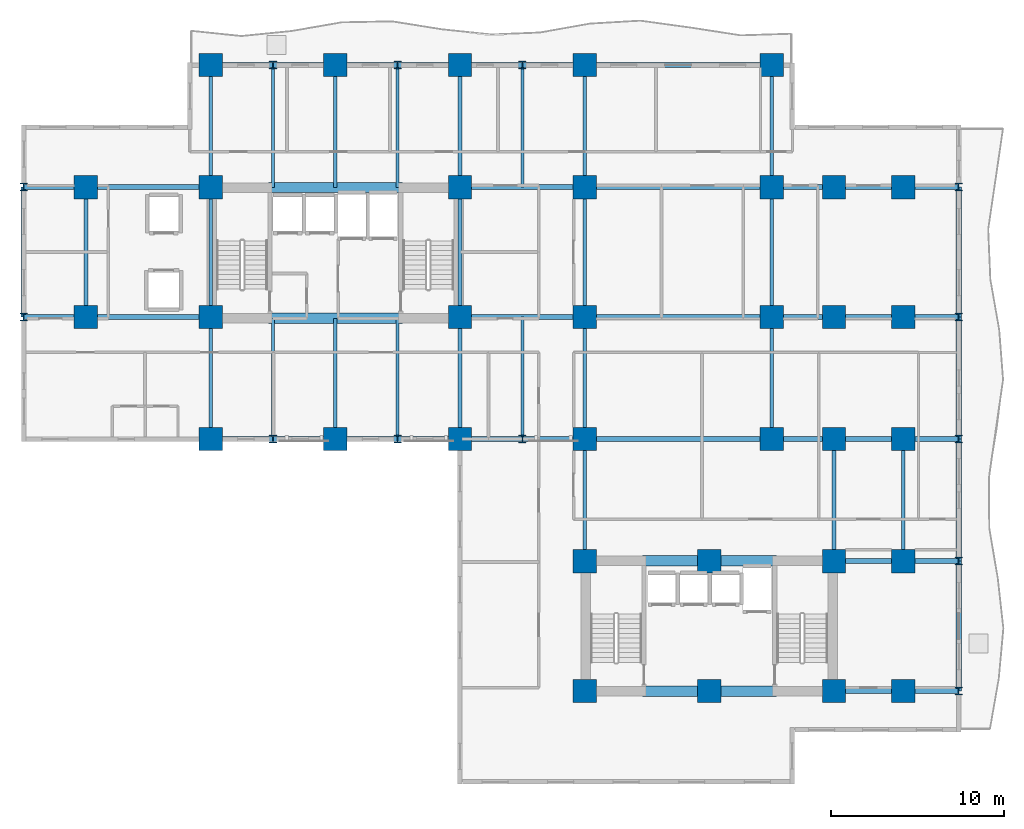
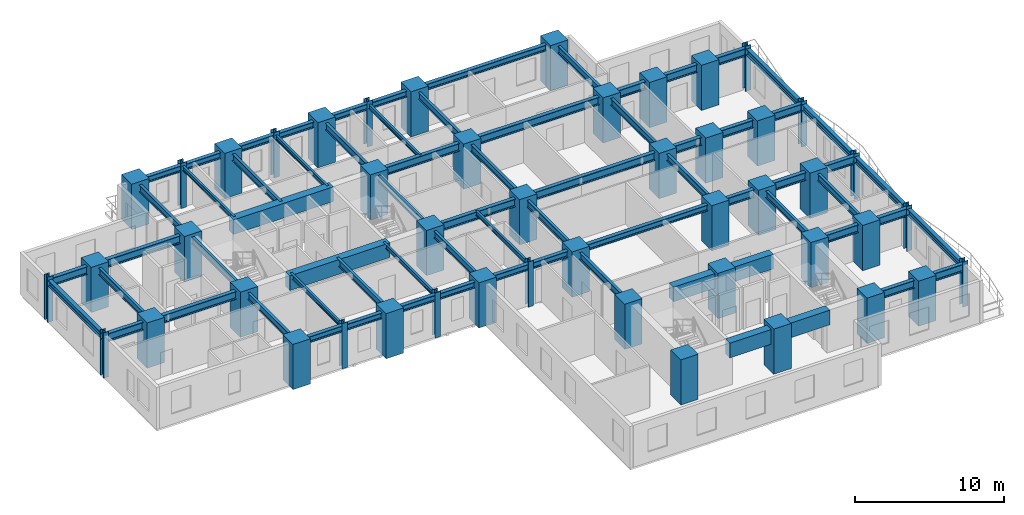
# One storey, part 1 of 11: 68 beams, 47 columns.
"""IFC4 building model written with IfcOpenShell, lengths in metres."""

from ifc_helpers import new_model, si_unit, direction, frame, origin, origin_2d, place, context, subcontext, project, spatial, rectangle, i_section, extrude, source, transform, mapped, material, material_profile, profile_set, type_object, element, save


model = new_model("IFC4")

# Units and contexts
model_context = context("Model", 3, precision=1e-05, world=origin(), true_north=direction((0.0, 1.0)))
body_context = subcontext(model_context, "Body", "Model", "MODEL_VIEW")
ifc_project = project(units=[si_unit("LENGTHUNIT", "METRE"), si_unit("AREAUNIT", "SQUARE_METRE"), si_unit("VOLUMEUNIT", "CUBIC_METRE"), si_unit("PLANEANGLEUNIT", "RADIAN"), si_unit("MASSUNIT", "GRAM", prefix="KILO")], contexts=[model_context])

# Site, building, storey
site_placement = place(None, origin())
site = spatial("IfcSite", under=ifc_project, at=site_placement, CompositionType="ELEMENT")
building_placement = place(site_placement, origin())
building = spatial("IfcBuilding", under=site, at=building_placement, Name="Kaliganga Portal Commons", CompositionType="ELEMENT")
storey_placement = place(building_placement, frame((0.0, 0.0, 51.199951171875)))
storey = spatial("IfcBuildingStorey", under=building, at=storey_placement, Name="L12", CompositionType="ELEMENT", Elevation=51.199951171875)

# Columns
ifc_material_1 = material(Name="Concrete C70/85", Category="concrete")
ifc_material_profile_1 = material_profile(ifc_material_1, rectangle(XDim=1.35009765625, YDim=1.35009765625, at=origin_2d()), Name="RC 1350x1350")
ifc_profile_set_1 = profile_set([ifc_material_profile_1], Name="Concrete C70/85")
column_type_1 = type_object("IfcColumnType", Name="COL-MEGA-Z1", PredefinedType="COLUMN", material=ifc_profile_set_1)
shared_shape_1 = source(origin(), body_context, "Body", "SweptSolid", [
    extrude(rectangle(XDim=1.35009765625, YDim=1.35009765625, at=origin_2d()), origin(), (0.0, 0.0, 1.0), 3.699951171875),
])
for number, where, z_axis, x_axis, name in (
    (1, (7.199951171875, 28.64990234375, 0.0), (0.0, 0.0, 1.0), (1.0, 0.0, 0.0), "Column MC-02 L12"),
    (2, (7.199951171875, 36.14990234375, 0.0), (0.0, 0.0, 1.0), (1.0, 0.0, 0.0), "Column MC-02 L12"),
    (3, (14.39990234375, 21.60009765625, 0.0), (0.0, 0.0, 1.0), (1.0, 0.0, 0.0), "Column MC-02 L12"),
    (4, (14.39990234375, 28.64990234375, 0.0), (0.0, 0.0, 1.0), (1.0, 0.0, 0.0), "Column MC-02 L12"),
    (5, (14.39990234375, 36.14990234375, 0.0), (0.0, 0.0, 1.0), (1.0, 0.0, 0.0), "Column MC-02 L12"),
    (6, (14.39990234375, 43.199951171875, 0.0), (0.0, 0.0, 1.0), (1.0, 0.0, 0.0), "Column MC-02 L12"),
    (7, (21.60009765625, 21.60009765625, 0.0), (0.0, 0.0, 1.0), (1.0, 0.0, 0.0), "Column MC-02 L12"),
    (8, (21.60009765625, 43.199951171875, 0.0), (0.0, 0.0, 1.0), (1.0, 0.0, 0.0), "Column MC-02 L12"),
    (9, (28.800048828125, 21.60009765625, 0.0), (0.0, 0.0, 1.0), (1.0, 0.0, 0.0), "Column MC-02 L12"),
    (10, (28.800048828125, 28.64990234375, 0.0), (0.0, 0.0, 1.0), (1.0, 0.0, 0.0), "Column MC-02 L12"),
    (11, (28.800048828125, 36.14990234375, 0.0), (0.0, 0.0, 1.0), (1.0, 0.0, 0.0), "Column MC-02 L12"),
    (12, (28.800048828125, 43.199951171875, 0.0), (0.0, 0.0, 1.0), (1.0, 0.0, 0.0), "Column MC-02 L12"),
    (13, (36.0, 21.60009765625, 0.0), (0.0, 0.0, 1.0), (1.0, 0.0, 0.0), "Column MC-02 L12"),
    (14, (36.0, 43.199951171875, 0.0), (0.0, 0.0, 1.0), (1.0, 0.0, 0.0), "Column MC-02 L12"),
    (15, (36.0, 28.64990234375, 0.0), (0.0, 0.0, 1.0), (1.0, 0.0, 0.0), "Column MC-02 L12"),
    (16, (36.0, 36.14990234375, 0.0), (0.0, 0.0, 1.0), (1.0, 0.0, 0.0), "Column MC-02 L12"),
    (17, (46.800048828125, 21.60009765625, 0.0), (0.0, 0.0, 1.0), (1.0, 0.0, 0.0), "Column MC-02 L12"),
    (18, (46.800048828125, 28.64990234375, 0.0), (0.0, 0.0, 1.0), (1.0, 0.0, 0.0), "Column MC-02 L12"),
    (19, (46.800048828125, 36.14990234375, 0.0), (0.0, 0.0, 1.0), (1.0, 0.0, 0.0), "Column MC-02 L12"),
    (20, (46.800048828125, 43.199951171875, 0.0), (0.0, 0.0, 1.0), (1.0, 0.0, 0.0), "Column MC-02 L12"),
    (21, (36.0, 7.050048828125, 0.0), (0.0, 0.0, 1.0), (1.0, 0.0, 0.0), "Column MC-02 L12"),
    (22, (36.0, 14.550048828125, 0.0), (0.0, 0.0, 1.0), (1.0, 0.0, 0.0), "Column MC-02 L12"),
    (23, (43.199951171875, 7.050048828125, 0.0), (0.0, 0.0, 1.0), (1.0, 0.0, 0.0), "Column MC-02 L12"),
    (24, (43.199951171875, 14.550048828125, 0.0), (0.0, 0.0, 1.0), (1.0, 0.0, 0.0), "Column MC-02 L12"),
    (25, (50.39990234375, 7.050048828125, 0.0), (0.0, 0.0, 1.0), (1.0, 0.0, 0.0), "Column MC-02 L12"),
    (26, (50.39990234375, 14.550048828125, 0.0), (0.0, 0.0, 1.0), (1.0, 0.0, 0.0), "Column MC-02 L12"),
    (27, (50.39990234375, 21.60009765625, 0.0), (0.0, 0.0, 1.0), (1.0, 0.0, 0.0), "Column MC-02 L12"),
    (28, (50.39990234375, 28.64990234375, 0.0), (0.0, 0.0, 1.0), (1.0, 0.0, 0.0), "Column MC-02 L12"),
    (29, (50.39990234375, 36.14990234375, 0.0), (0.0, 0.0, 1.0), (1.0, 0.0, 0.0), "Column MC-02 L12"),
    (30, (54.39990234375, 7.050048828125, 0.0), (0.0, 0.0, 1.0), (1.0, 0.0, 0.0), "Column MC-02 L12"),
    (31, (54.39990234375, 14.550048828125, 0.0), (0.0, 0.0, 1.0), (1.0, 0.0, 0.0), "Column MC-02 L12"),
    (32, (54.39990234375, 21.60009765625, 0.0), (0.0, 0.0, 1.0), (1.0, 0.0, 0.0), "Column MC-02 L12"),
    (33, (54.39990234375, 28.64990234375, 0.0), (0.0, 0.0, 1.0), (1.0, 0.0, 0.0), "Column MC-02 L12"),
    (34, (54.39990234375, 36.14990234375, 0.0), (0.0, 0.0, 1.0), (1.0, 0.0, 0.0), "Column MC-02 L12"),
):
    element("IfcColumn", number, at=place(storey_placement, frame(where, z_axis=z_axis, x_axis=x_axis)), inside=storey, type_object=column_type_1, Name=name, PredefinedType="COLUMN", context=body_context, shape_type="MappedRepresentation", body=[
        mapped(shared_shape_1, transform((0.0, 0.0, 0.0), x_axis=(1.0, 0.0, 0.0), y_axis=(0.0, 1.0, 0.0), z_axis=(0.0, 0.0, 1.0), scale=1.0)),
    ])
ifc_material_2 = material(Name="Structural steel S460M", Category="steel")
ifc_material_profile_2 = material_profile(ifc_material_2, i_section(OverallWidth=0.416015625, OverallDepth=0.446044921875, WebThickness=0.029052734375, FlangeThickness=0.0400390625, FilletRadius=0.014892578125, at=origin_2d()), Name="HD 400x509")
ifc_profile_set_2 = profile_set([ifc_material_profile_2], Name="Structural steel S460M wide-flange")
column_type_2 = type_object("IfcColumnType", Name="COL-TUBE-B1", PredefinedType="COLUMN", material=ifc_profile_set_2)
shared_shape_2 = source(origin(), body_context, "Body", "SweptSolid", [
    extrude(i_section(OverallWidth=0.416015625, OverallDepth=0.446044921875, WebThickness=0.029052734375, FlangeThickness=0.0400390625, FilletRadius=0.014892578125, at=origin_2d()), origin(), (0.0, 0.0, 1.0), 3.699951171875),
])
for number, where, z_axis, x_axis, name in (
    (35, (3.60009765625, 28.64990234375, 0.0), (0.0, 0.0, 1.0), (1.0, 0.0, 0.0), "Column TC-01 L12"),
    (36, (3.60009765625, 36.14990234375, 0.0), (0.0, 0.0, 1.0), (1.0, 0.0, 0.0), "Column TC-01 L12"),
    (37, (18.0, 21.60009765625, 0.0), (0.0, 0.0, 1.0), (1.0, 0.0, 0.0), "Column TC-01 L12"),
    (38, (18.0, 43.199951171875, 0.0), (0.0, 0.0, 1.0), (1.0, 0.0, 0.0), "Column TC-01 L12"),
    (39, (25.199951171875, 21.60009765625, 0.0), (0.0, 0.0, 1.0), (1.0, 0.0, 0.0), "Column TC-01 L12"),
    (40, (25.199951171875, 43.199951171875, 0.0), (0.0, 0.0, 1.0), (1.0, 0.0, 0.0), "Column TC-01 L12"),
    (41, (32.39990234375, 21.60009765625, 0.0), (0.0, 0.0, 1.0), (1.0, 0.0, 0.0), "Column TC-01 L12"),
    (42, (32.39990234375, 43.199951171875, 0.0), (0.0, 0.0, 1.0), (1.0, 0.0, 0.0), "Column TC-01 L12"),
    (43, (57.60009765625, 7.050048828125, 0.0), (0.0, 0.0, 1.0), (1.0, 0.0, 0.0), "Column TC-01 L12"),
    (44, (57.60009765625, 14.550048828125, 0.0), (0.0, 0.0, 1.0), (1.0, 0.0, 0.0), "Column TC-01 L12"),
    (45, (57.60009765625, 21.60009765625, 0.0), (0.0, 0.0, 1.0), (1.0, 0.0, 0.0), "Column TC-01 L12"),
    (46, (57.60009765625, 28.64990234375, 0.0), (0.0, 0.0, 1.0), (1.0, 0.0, 0.0), "Column TC-01 L12"),
    (47, (57.60009765625, 36.14990234375, 0.0), (0.0, 0.0, 1.0), (1.0, 0.0, 0.0), "Column TC-01 L12"),
):
    element("IfcColumn", number, at=place(storey_placement, frame(where, z_axis=z_axis, x_axis=x_axis)), inside=storey, type_object=column_type_2, Name=name, PredefinedType="COLUMN", context=body_context, shape_type="MappedRepresentation", body=[
        mapped(shared_shape_2, transform((0.0, 0.0, 0.0), x_axis=(1.0, 0.0, 0.0), y_axis=(0.0, 1.0, 0.0), z_axis=(0.0, 0.0, 1.0), scale=1.0)),
    ])

# Beams
ifc_material_3 = material(Name="Concrete C60/75", Category="concrete")
ifc_material_profile_3 = material_profile(ifc_material_3, rectangle(XDim=0.60009765625, YDim=1.199951171875, at=origin_2d()), Name="RC 600x1200")
ifc_profile_set_3 = profile_set([ifc_material_profile_3], Name="Concrete C60/75")
beam_type_1 = type_object("IfcBeamType", Name="BM-CPL-1200", PredefinedType="LINTEL", material=ifc_profile_set_3)
shared_shape_3 = source(origin(), body_context, "Body", "SweptSolid", [
    extrude(rectangle(XDim=0.60009765625, YDim=1.199951171875, at=origin_2d()), origin(), (0.0, 0.0, 1.0), 7.739990234375),
])
for number, where, z_axis, x_axis, name in (
    (48, (17.72998046875, 28.574951171875, 2.85009765625), (1.0, 0.0, 0.0), (0.0, 1.0, 0.0), "BM CPL COREA L12 S"),
    (49, (17.72998046875, 36.125, 2.85009765625), (1.0, 0.0, 0.0), (0.0, 1.0, 0.0), "BM CPL COREA L12 N"),
    (50, (39.330078125, 7.02490234375, 2.85009765625), (1.0, 0.0, 0.0), (0.0, 1.0, 0.0), "BM CPL COREB L12 S"),
    (51, (39.330078125, 14.574951171875, 2.85009765625), (1.0, 0.0, 0.0), (0.0, 1.0, 0.0), "BM CPL COREB L12 N"),
):
    element("IfcBeam", number, at=place(storey_placement, frame(where, z_axis=z_axis, x_axis=x_axis)), inside=storey, type_object=beam_type_1, Name=name, PredefinedType="LINTEL", context=body_context, shape_type="MappedRepresentation", body=[
        mapped(shared_shape_3, transform((0.0, 0.0, 0.0), x_axis=(1.0, 0.0, 0.0), y_axis=(0.0, 1.0, 0.0), z_axis=(0.0, 0.0, 1.0), scale=1.0)),
    ])
ifc_material_4 = material(Name="Structural steel S355J2", Category="steel")
ifc_material_profile_4 = material_profile(ifc_material_4, i_section(OverallWidth=0.300048828125, OverallDepth=0.5, WebThickness=0.014404296875, FlangeThickness=0.028076171875, FilletRadius=0.027099609375, at=origin_2d()), Name="HE 500 B")
ifc_profile_set_4 = profile_set([ifc_material_profile_4], Name="Structural steel S355J2 wide-flange")
beam_type_2 = type_object("IfcBeamType", Name="BM-SPAND-500", PredefinedType="SPANDREL", material=ifc_profile_set_4)
shared_shape_4 = source(origin(), body_context, "Body", "SweptSolid", [
    extrude(i_section(OverallWidth=0.300048828125, OverallDepth=0.5, WebThickness=0.014404296875, FlangeThickness=0.028076171875, FilletRadius=0.027099609375, at=origin_2d()), origin(), (0.0, 0.0, 1.0), 10.800048828125),
])
for number, where, z_axis, x_axis, name in (
    (52, (36.0, 43.199951171875, 3.199951171875), (1.0, 0.0, 0.0), (0.0, 1.0, 0.0), "BM SP L12 AN 7"),
    (53, (36.0, 21.60009765625, 3.199951171875), (1.0, 0.0, 0.0), (0.0, 1.0, 0.0), "BM SP L12 AS 7"),
):
    element("IfcBeam", number, at=place(storey_placement, frame(where, z_axis=z_axis, x_axis=x_axis)), inside=storey, type_object=beam_type_2, Name=name, PredefinedType="SPANDREL", context=body_context, shape_type="MappedRepresentation", body=[
        mapped(shared_shape_4, transform((0.0, 0.0, 0.0), x_axis=(1.0, 0.0, 0.0), y_axis=(0.0, 1.0, 0.0), z_axis=(0.0, 0.0, 1.0), scale=1.0)),
    ])
shared_shape_5 = source(origin(), body_context, "Body", "SweptSolid", [
    extrude(i_section(OverallWidth=0.300048828125, OverallDepth=0.5, WebThickness=0.014404296875, FlangeThickness=0.028076171875, FilletRadius=0.027099609375, at=origin_2d()), origin(), (0.0, 0.0, 1.0), 7.5),
])
for number, where, z_axis, x_axis, name in (
    (54, (3.60009765625, 28.64990234375, 3.199951171875), (0.0, 1.0, 0.0), (-1.0, 0.0, 0.0), "BM SP L12 AW"),
    (55, (57.60009765625, 7.050048828125, 3.199951171875), (0.0, 1.0, 0.0), (-1.0, 0.0, 0.0), "BM SP L12 BE 1"),
    (56, (57.60009765625, 28.64990234375, 3.199951171875), (0.0, 1.0, 0.0), (-1.0, 0.0, 0.0), "BM SP L12 BE 4"),
):
    element("IfcBeam", number, at=place(storey_placement, frame(where, z_axis=z_axis, x_axis=x_axis)), inside=storey, type_object=beam_type_2, Name=name, PredefinedType="SPANDREL", context=body_context, shape_type="MappedRepresentation", body=[
        mapped(shared_shape_5, transform((0.0, 0.0, 0.0), x_axis=(1.0, 0.0, 0.0), y_axis=(0.0, 1.0, 0.0), z_axis=(0.0, 0.0, 1.0), scale=1.0)),
    ])
shared_shape_6 = source(origin(), body_context, "Body", "SweptSolid", [
    extrude(i_section(OverallWidth=0.300048828125, OverallDepth=0.5, WebThickness=0.014404296875, FlangeThickness=0.028076171875, FilletRadius=0.027099609375, at=origin_2d()), origin(), (0.0, 0.0, 1.0), 7.050048828125),
])
beam_1_placement = place(storey_placement, frame((57.60009765625, 14.550048828125, 3.199951171875), z_axis=(0.0, 1.0, 0.0), x_axis=(-1.0, 0.0, 0.0)))
element("IfcBeam", 57, at=beam_1_placement, inside=storey, type_object=beam_type_2, Name="BM SP L12 BE 2", PredefinedType="SPANDREL", context=body_context, shape_type="MappedRepresentation", body=[
    mapped(shared_shape_6, transform((0.0, 0.0, 0.0), x_axis=(1.0, 0.0, 0.0), y_axis=(0.0, 1.0, 0.0), z_axis=(0.0, 0.0, 1.0), scale=1.0)),
])
shared_shape_7 = source(origin(), body_context, "Body", "SweptSolid", [
    extrude(i_section(OverallWidth=0.300048828125, OverallDepth=0.5, WebThickness=0.014404296875, FlangeThickness=0.028076171875, FilletRadius=0.027099609375, at=origin_2d()), origin(), (0.0, 0.0, 1.0), 7.0498046875),
])
beam_2_placement = place(storey_placement, frame((57.60009765625, 21.60009765625, 3.199951171875), z_axis=(0.0, 1.0, 0.0), x_axis=(-1.0, 0.0, 0.0)))
element("IfcBeam", 58, at=beam_2_placement, inside=storey, type_object=beam_type_2, Name="BM SP L12 BE 3", PredefinedType="SPANDREL", context=body_context, shape_type="MappedRepresentation", body=[
    mapped(shared_shape_7, transform((0.0, 0.0, 0.0), x_axis=(1.0, 0.0, 0.0), y_axis=(0.0, 1.0, 0.0), z_axis=(0.0, 0.0, 1.0), scale=1.0)),
])
shared_shape_8 = source(origin(), body_context, "Body", "SweptSolid", [
    extrude(i_section(OverallWidth=0.300048828125, OverallDepth=0.5, WebThickness=0.014404296875, FlangeThickness=0.028076171875, FilletRadius=0.027099609375, at=origin_2d()), origin(), (0.0, 0.0, 1.0), 3.60009765625),
])
for number, where, z_axis, x_axis, name in (
    (59, (14.39990234375, 43.199951171875, 3.199951171875), (1.0, 0.0, 0.0), (0.0, 1.0, 0.0), "BM SP L12 AN 1"),
    (60, (18.0, 43.199951171875, 3.199951171875), (1.0, 0.0, 0.0), (0.0, 1.0, 0.0), "BM SP L12 AN 2"),
    (61, (25.199951171875, 43.199951171875, 3.199951171875), (1.0, 0.0, 0.0), (0.0, 1.0, 0.0), "BM SP L12 AN 4"),
    (62, (32.39990234375, 43.199951171875, 3.199951171875), (1.0, 0.0, 0.0), (0.0, 1.0, 0.0), "BM SP L12 AN 6"),
    (63, (14.39990234375, 21.60009765625, 3.199951171875), (1.0, 0.0, 0.0), (0.0, 1.0, 0.0), "BM SP L12 AS 1"),
    (64, (18.0, 21.60009765625, 3.199951171875), (1.0, 0.0, 0.0), (0.0, 1.0, 0.0), "BM SP L12 AS 2"),
    (65, (25.199951171875, 21.60009765625, 3.199951171875), (1.0, 0.0, 0.0), (0.0, 1.0, 0.0), "BM SP L12 AS 4"),
    (66, (32.39990234375, 21.60009765625, 3.199951171875), (1.0, 0.0, 0.0), (0.0, 1.0, 0.0), "BM SP L12 AS 6"),
):
    element("IfcBeam", number, at=place(storey_placement, frame(where, z_axis=z_axis, x_axis=x_axis)), inside=storey, type_object=beam_type_2, Name=name, PredefinedType="SPANDREL", context=body_context, shape_type="MappedRepresentation", body=[
        mapped(shared_shape_8, transform((0.0, 0.0, 0.0), x_axis=(1.0, 0.0, 0.0), y_axis=(0.0, 1.0, 0.0), z_axis=(0.0, 0.0, 1.0), scale=1.0)),
    ])
shared_shape_9 = source(origin(), body_context, "Body", "SweptSolid", [
    extrude(i_section(OverallWidth=0.300048828125, OverallDepth=0.5, WebThickness=0.014404296875, FlangeThickness=0.028076171875, FilletRadius=0.027099609375, at=origin_2d()), origin(), (0.0, 0.0, 1.0), 3.599853515625),
])
for number, where, z_axis, x_axis, name in (
    (67, (21.60009765625, 43.199951171875, 3.199951171875), (1.0, 0.0, 0.0), (0.0, 1.0, 0.0), "BM SP L12 AN 3"),
    (68, (28.800048828125, 43.199951171875, 3.199951171875), (1.0, 0.0, 0.0), (0.0, 1.0, 0.0), "BM SP L12 AN 5"),
    (69, (21.60009765625, 21.60009765625, 3.199951171875), (1.0, 0.0, 0.0), (0.0, 1.0, 0.0), "BM SP L12 AS 3"),
    (70, (28.800048828125, 21.60009765625, 3.199951171875), (1.0, 0.0, 0.0), (0.0, 1.0, 0.0), "BM SP L12 AS 5"),
):
    element("IfcBeam", number, at=place(storey_placement, frame(where, z_axis=z_axis, x_axis=x_axis)), inside=storey, type_object=beam_type_2, Name=name, PredefinedType="SPANDREL", context=body_context, shape_type="MappedRepresentation", body=[
        mapped(shared_shape_9, transform((0.0, 0.0, 0.0), x_axis=(1.0, 0.0, 0.0), y_axis=(0.0, 1.0, 0.0), z_axis=(0.0, 0.0, 1.0), scale=1.0)),
    ])
ifc_material_profile_5 = material_profile(ifc_material_4, i_section(OverallWidth=0.300048828125, OverallDepth=0.64990234375, WebThickness=0.01611328125, FlangeThickness=0.031005859375, FilletRadius=0.027099609375, at=origin_2d()), Name="HE 650 B")
ifc_profile_set_5 = profile_set([ifc_material_profile_5], Name="Structural steel S355J2 wide-flange")
beam_type_3 = type_object("IfcBeamType", Name="BM-GIRD-650", PredefinedType="USERDEFINED", material=ifc_profile_set_5)
shared_shape_10 = source(origin(), body_context, "Body", "SweptSolid", [
    extrude(i_section(OverallWidth=0.300048828125, OverallDepth=0.64990234375, WebThickness=0.01611328125, FlangeThickness=0.031005859375, FilletRadius=0.027099609375, at=origin_2d()), origin(), (0.0, 0.0, 1.0), 3.599853515625),
])
for number, where, z_axis, x_axis, name in (
    (71, (3.60009765625, 28.64990234375, 3.125), (1.0, 0.0, 0.0), (0.0, 1.0, 0.0), "BM G L12 WAH_S 1"),
    (72, (3.60009765625, 36.14990234375, 3.125), (1.0, 0.0, 0.0), (0.0, 1.0, 0.0), "BM G L12 WAH_N 1"),
    (73, (46.800048828125, 21.60009765625, 3.125), (1.0, 0.0, 0.0), (0.0, 1.0, 0.0), "BM G L12 BKE216 1"),
    (74, (46.800048828125, 28.64990234375, 3.125), (1.0, 0.0, 0.0), (0.0, 1.0, 0.0), "BM G L12 BKE286 1"),
    (75, (46.800048828125, 36.14990234375, 3.125), (1.0, 0.0, 0.0), (0.0, 1.0, 0.0), "BM G L12 BKE362 1"),
):
    element("IfcBeam", number, at=place(storey_placement, frame(where, z_axis=z_axis, x_axis=x_axis)), inside=storey, type_object=beam_type_3, Name=name, ObjectType="GIRDER", PredefinedType="USERDEFINED", context=body_context, shape_type="MappedRepresentation", body=[
        mapped(shared_shape_10, transform((0.0, 0.0, 0.0), x_axis=(1.0, 0.0, 0.0), y_axis=(0.0, 1.0, 0.0), z_axis=(0.0, 0.0, 1.0), scale=1.0)),
    ])
shared_shape_11 = source(origin(), body_context, "Body", "SweptSolid", [
    extrude(i_section(OverallWidth=0.300048828125, OverallDepth=0.64990234375, WebThickness=0.01611328125, FlangeThickness=0.031005859375, FilletRadius=0.027099609375, at=origin_2d()), origin(), (0.0, 0.0, 1.0), 7.199951171875),
])
for number, where, z_axis, x_axis, name in (
    (76, (7.199951171875, 28.64990234375, 3.125), (1.0, 0.0, 0.0), (0.0, 1.0, 0.0), "BM G L12 WAH_S 2"),
    (77, (7.199951171875, 36.14990234375, 3.125), (1.0, 0.0, 0.0), (0.0, 1.0, 0.0), "BM G L12 WAH_N 2"),
    (78, (28.800048828125, 28.64990234375, 3.125), (1.0, 0.0, 0.0), (0.0, 1.0, 0.0), "BM G L12 WAE_S 1"),
    (79, (28.800048828125, 36.14990234375, 3.125), (1.0, 0.0, 0.0), (0.0, 1.0, 0.0), "BM G L12 WAE_N 1"),
):
    element("IfcBeam", number, at=place(storey_placement, frame(where, z_axis=z_axis, x_axis=x_axis)), inside=storey, type_object=beam_type_3, Name=name, ObjectType="GIRDER", PredefinedType="USERDEFINED", context=body_context, shape_type="MappedRepresentation", body=[
        mapped(shared_shape_11, transform((0.0, 0.0, 0.0), x_axis=(1.0, 0.0, 0.0), y_axis=(0.0, 1.0, 0.0), z_axis=(0.0, 0.0, 1.0), scale=1.0)),
    ])
shared_shape_12 = source(origin(), body_context, "Body", "SweptSolid", [
    extrude(i_section(OverallWidth=0.300048828125, OverallDepth=0.64990234375, WebThickness=0.01611328125, FlangeThickness=0.031005859375, FilletRadius=0.027099609375, at=origin_2d()), origin(), (0.0, 0.0, 1.0), 10.800048828125),
])
for number, where, z_axis, x_axis, name in (
    (80, (36.0, 28.64990234375, 3.125), (1.0, 0.0, 0.0), (0.0, 1.0, 0.0), "BM G L12 WAE_S 2"),
    (81, (36.0, 36.14990234375, 3.125), (1.0, 0.0, 0.0), (0.0, 1.0, 0.0), "BM G L12 WAE_N 2"),
):
    element("IfcBeam", number, at=place(storey_placement, frame(where, z_axis=z_axis, x_axis=x_axis)), inside=storey, type_object=beam_type_3, Name=name, ObjectType="GIRDER", PredefinedType="USERDEFINED", context=body_context, shape_type="MappedRepresentation", body=[
        mapped(shared_shape_12, transform((0.0, 0.0, 0.0), x_axis=(1.0, 0.0, 0.0), y_axis=(0.0, 1.0, 0.0), z_axis=(0.0, 0.0, 1.0), scale=1.0)),
    ])
ifc_material_profile_6 = material_profile(ifc_material_4, i_section(OverallWidth=0.2099609375, OverallDepth=0.550048828125, WebThickness=0.010986328125, FlangeThickness=0.01708984375, FilletRadius=0.02392578125, at=origin_2d()), Name="IPE 550")
ifc_profile_set_6 = profile_set([ifc_material_profile_6], Name="Structural steel S355J2 wide-flange")
beam_type_4 = type_object("IfcBeamType", Name="BM-FLR-550", PredefinedType="BEAM", material=ifc_profile_set_6)
shared_shape_13 = source(origin(), body_context, "Body", "SweptSolid", [
    extrude(i_section(OverallWidth=0.2099609375, OverallDepth=0.550048828125, WebThickness=0.010986328125, FlangeThickness=0.01708984375, FilletRadius=0.02392578125, at=origin_2d()), origin(), (0.0, 0.0, 1.0), 7.5),
])
for number, where, z_axis, x_axis, name in (
    (82, (7.199951171875, 28.64990234375, 3.175048828125), (0.0, 1.0, 0.0), (-1.0, 0.0, 0.0), "BM G L12 AW72"),
    (83, (14.39990234375, 28.64990234375, 3.175048828125), (0.0, 1.0, 0.0), (-1.0, 0.0, 0.0), "BM G L12 AM144"),
    (84, (28.800048828125, 28.64990234375, 3.175048828125), (0.0, 1.0, 0.0), (-1.0, 0.0, 0.0), "BM G L12 AM288"),
    (85, (36.0, 28.64990234375, 3.175048828125), (0.0, 1.0, 0.0), (-1.0, 0.0, 0.0), "BM G L12 AM360"),
    (86, (46.800048828125, 28.64990234375, 3.175048828125), (0.0, 1.0, 0.0), (-1.0, 0.0, 0.0), "BM G L12 AM468"),
):
    element("IfcBeam", number, at=place(storey_placement, frame(where, z_axis=z_axis, x_axis=x_axis)), inside=storey, type_object=beam_type_4, Name=name, PredefinedType="BEAM", context=body_context, shape_type="MappedRepresentation", body=[
        mapped(shared_shape_13, transform((0.0, 0.0, 0.0), x_axis=(1.0, 0.0, 0.0), y_axis=(0.0, 1.0, 0.0), z_axis=(0.0, 0.0, 1.0), scale=1.0)),
    ])
shared_shape_14 = source(origin(), body_context, "Body", "SweptSolid", [
    extrude(i_section(OverallWidth=0.2099609375, OverallDepth=0.550048828125, WebThickness=0.010986328125, FlangeThickness=0.01708984375, FilletRadius=0.02392578125, at=origin_2d()), origin(), (0.0, 0.0, 1.0), 7.050048828125),
])
for number, where, z_axis, x_axis, name in (
    (87, (14.39990234375, 36.14990234375, 3.175048828125), (0.0, 1.0, 0.0), (-1.0, 0.0, 0.0), "BM G L12 AN144"),
    (88, (28.800048828125, 36.14990234375, 3.175048828125), (0.0, 1.0, 0.0), (-1.0, 0.0, 0.0), "BM G L12 AN288"),
    (89, (36.0, 36.14990234375, 3.175048828125), (0.0, 1.0, 0.0), (-1.0, 0.0, 0.0), "BM G L12 AN360"),
    (90, (46.800048828125, 36.14990234375, 3.175048828125), (0.0, 1.0, 0.0), (-1.0, 0.0, 0.0), "BM G L12 AN468"),
    (91, (36.0, 14.550048828125, 3.175048828125), (0.0, 1.0, 0.0), (-1.0, 0.0, 0.0), "BM G L12 BNK360"),
    (92, (50.39990234375, 14.550048828125, 3.175048828125), (0.0, 1.0, 0.0), (-1.0, 0.0, 0.0), "BM G L12 BNK504"),
    (93, (54.39990234375, 14.550048828125, 3.175048828125), (0.0, 1.0, 0.0), (-1.0, 0.0, 0.0), "BM G L12 BNK544"),
):
    element("IfcBeam", number, at=place(storey_placement, frame(where, z_axis=z_axis, x_axis=x_axis)), inside=storey, type_object=beam_type_4, Name=name, PredefinedType="BEAM", context=body_context, shape_type="MappedRepresentation", body=[
        mapped(shared_shape_14, transform((0.0, 0.0, 0.0), x_axis=(1.0, 0.0, 0.0), y_axis=(0.0, 1.0, 0.0), z_axis=(0.0, 0.0, 1.0), scale=1.0)),
    ])
shared_shape_15 = source(origin(), body_context, "Body", "SweptSolid", [
    extrude(i_section(OverallWidth=0.2099609375, OverallDepth=0.550048828125, WebThickness=0.010986328125, FlangeThickness=0.01708984375, FilletRadius=0.02392578125, at=origin_2d()), origin(), (0.0, 0.0, 1.0), 7.0498046875),
])
for number, where, z_axis, x_axis, name in (
    (94, (14.39990234375, 21.60009765625, 3.175048828125), (0.0, 1.0, 0.0), (-1.0, 0.0, 0.0), "BM G L12 AS144"),
    (95, (28.800048828125, 21.60009765625, 3.175048828125), (0.0, 1.0, 0.0), (-1.0, 0.0, 0.0), "BM G L12 AS288"),
    (96, (36.0, 21.60009765625, 3.175048828125), (0.0, 1.0, 0.0), (-1.0, 0.0, 0.0), "BM G L12 AS360"),
    (97, (46.800048828125, 21.60009765625, 3.175048828125), (0.0, 1.0, 0.0), (-1.0, 0.0, 0.0), "BM G L12 AS468"),
):
    element("IfcBeam", number, at=place(storey_placement, frame(where, z_axis=z_axis, x_axis=x_axis)), inside=storey, type_object=beam_type_4, Name=name, PredefinedType="BEAM", context=body_context, shape_type="MappedRepresentation", body=[
        mapped(shared_shape_15, transform((0.0, 0.0, 0.0), x_axis=(1.0, 0.0, 0.0), y_axis=(0.0, 1.0, 0.0), z_axis=(0.0, 0.0, 1.0), scale=1.0)),
    ])
ifc_material_profile_7 = material_profile(ifc_material_4, i_section(OverallWidth=0.169921875, OverallDepth=0.360107421875, WebThickness=0.008056640625, FlangeThickness=0.0126953125, FilletRadius=0.01806640625, at=origin_2d()), Name="IPE 360")
ifc_profile_set_7 = profile_set([ifc_material_profile_7], Name="Structural steel S355J2 wide-flange")
beam_type_5 = type_object("IfcBeamType", Name="BM-JST-360", PredefinedType="JOIST", material=ifc_profile_set_7)
shared_shape_16 = source(origin(), body_context, "Body", "SweptSolid", [
    extrude(i_section(OverallWidth=0.169921875, OverallDepth=0.360107421875, WebThickness=0.008056640625, FlangeThickness=0.0126953125, FilletRadius=0.01806640625, at=origin_2d()), origin(), (0.0, 0.0, 1.0), 7.074951171875),
])
for number, where, z_axis, x_axis, name in (
    (98, (18.0, 36.125, 3.27001953125), (0.0, 1.0, 0.0), (-1.0, 0.0, 0.0), "BM G L12 AN180"),
    (99, (25.199951171875, 36.125, 3.27001953125), (0.0, 1.0, 0.0), (-1.0, 0.0, 0.0), "BM G L12 AN252"),
):
    element("IfcBeam", number, at=place(storey_placement, frame(where, z_axis=z_axis, x_axis=x_axis)), inside=storey, type_object=beam_type_5, Name=name, PredefinedType="JOIST", context=body_context, shape_type="MappedRepresentation", body=[
        mapped(shared_shape_16, transform((0.0, 0.0, 0.0), x_axis=(1.0, 0.0, 0.0), y_axis=(0.0, 1.0, 0.0), z_axis=(0.0, 0.0, 1.0), scale=1.0)),
    ])
shared_shape_17 = source(origin(), body_context, "Body", "SweptSolid", [
    extrude(i_section(OverallWidth=0.169921875, OverallDepth=0.360107421875, WebThickness=0.008056640625, FlangeThickness=0.0126953125, FilletRadius=0.01806640625, at=origin_2d()), origin(), (0.0, 0.0, 1.0), 6.974853515625),
])
for number, where, z_axis, x_axis, name in (
    (100, (18.0, 21.60009765625, 3.27001953125), (0.0, 1.0, 0.0), (-1.0, 0.0, 0.0), "BM G L12 AS180"),
    (101, (25.199951171875, 21.60009765625, 3.27001953125), (0.0, 1.0, 0.0), (-1.0, 0.0, 0.0), "BM G L12 AS252"),
):
    element("IfcBeam", number, at=place(storey_placement, frame(where, z_axis=z_axis, x_axis=x_axis)), inside=storey, type_object=beam_type_5, Name=name, PredefinedType="JOIST", context=body_context, shape_type="MappedRepresentation", body=[
        mapped(shared_shape_17, transform((0.0, 0.0, 0.0), x_axis=(1.0, 0.0, 0.0), y_axis=(0.0, 1.0, 0.0), z_axis=(0.0, 0.0, 1.0), scale=1.0)),
    ])
shared_shape_18 = source(origin(), body_context, "Body", "SweptSolid", [
    extrude(i_section(OverallWidth=0.2099609375, OverallDepth=0.550048828125, WebThickness=0.010986328125, FlangeThickness=0.01708984375, FilletRadius=0.02392578125, at=origin_2d()), origin(), (0.0, 0.0, 1.0), 7.074951171875),
])
beam_3_placement = place(storey_placement, frame((21.60009765625, 36.125, 3.175048828125), z_axis=(0.0, 1.0, 0.0), x_axis=(-1.0, 0.0, 0.0)))
element("IfcBeam", 102, at=beam_3_placement, inside=storey, type_object=beam_type_4, Name="BM G L12 AN216", PredefinedType="BEAM", context=body_context, shape_type="MappedRepresentation", body=[
    mapped(shared_shape_18, transform((0.0, 0.0, 0.0), x_axis=(1.0, 0.0, 0.0), y_axis=(0.0, 1.0, 0.0), z_axis=(0.0, 0.0, 1.0), scale=1.0)),
])
shared_shape_19 = source(origin(), body_context, "Body", "SweptSolid", [
    extrude(i_section(OverallWidth=0.2099609375, OverallDepth=0.550048828125, WebThickness=0.010986328125, FlangeThickness=0.01708984375, FilletRadius=0.02392578125, at=origin_2d()), origin(), (0.0, 0.0, 1.0), 6.974853515625),
])
beam_4_placement = place(storey_placement, frame((21.60009765625, 21.60009765625, 3.175048828125), z_axis=(0.0, 1.0, 0.0), x_axis=(-1.0, 0.0, 0.0)))
element("IfcBeam", 103, at=beam_4_placement, inside=storey, type_object=beam_type_4, Name="BM G L12 AS216", PredefinedType="BEAM", context=body_context, shape_type="MappedRepresentation", body=[
    mapped(shared_shape_19, transform((0.0, 0.0, 0.0), x_axis=(1.0, 0.0, 0.0), y_axis=(0.0, 1.0, 0.0), z_axis=(0.0, 0.0, 1.0), scale=1.0)),
])
shared_shape_20 = source(origin(), body_context, "Body", "SweptSolid", [
    extrude(i_section(OverallWidth=0.169921875, OverallDepth=0.360107421875, WebThickness=0.008056640625, FlangeThickness=0.0126953125, FilletRadius=0.01806640625, at=origin_2d()), origin(), (0.0, 0.0, 1.0), 7.050048828125),
])
beam_5_placement = place(storey_placement, frame((32.39990234375, 36.14990234375, 3.27001953125), z_axis=(0.0, 1.0, 0.0), x_axis=(-1.0, 0.0, 0.0)))
element("IfcBeam", 104, at=beam_5_placement, inside=storey, type_object=beam_type_5, Name="BM G L12 AN324", PredefinedType="JOIST", context=body_context, shape_type="MappedRepresentation", body=[
    mapped(shared_shape_20, transform((0.0, 0.0, 0.0), x_axis=(1.0, 0.0, 0.0), y_axis=(0.0, 1.0, 0.0), z_axis=(0.0, 0.0, 1.0), scale=1.0)),
])
shared_shape_21 = source(origin(), body_context, "Body", "SweptSolid", [
    extrude(i_section(OverallWidth=0.169921875, OverallDepth=0.360107421875, WebThickness=0.008056640625, FlangeThickness=0.0126953125, FilletRadius=0.01806640625, at=origin_2d()), origin(), (0.0, 0.0, 1.0), 7.0498046875),
])
beam_6_placement = place(storey_placement, frame((32.39990234375, 21.60009765625, 3.27001953125), z_axis=(0.0, 1.0, 0.0), x_axis=(-1.0, 0.0, 0.0)))
element("IfcBeam", 105, at=beam_6_placement, inside=storey, type_object=beam_type_5, Name="BM G L12 AS324", PredefinedType="JOIST", context=body_context, shape_type="MappedRepresentation", body=[
    mapped(shared_shape_21, transform((0.0, 0.0, 0.0), x_axis=(1.0, 0.0, 0.0), y_axis=(0.0, 1.0, 0.0), z_axis=(0.0, 0.0, 1.0), scale=1.0)),
])
shared_shape_22 = source(origin(), body_context, "Body", "SweptSolid", [
    extrude(i_section(OverallWidth=0.300048828125, OverallDepth=0.64990234375, WebThickness=0.01611328125, FlangeThickness=0.031005859375, FilletRadius=0.027099609375, at=origin_2d()), origin(), (0.0, 0.0, 1.0), 4.0),
])
for number, where, z_axis, x_axis, name in (
    (106, (50.39990234375, 7.050048828125, 3.125), (1.0, 0.0, 0.0), (0.0, 1.0, 0.0), "BM G L12 BKE70 1"),
    (107, (50.39990234375, 14.550048828125, 3.125), (1.0, 0.0, 0.0), (0.0, 1.0, 0.0), "BM G L12 BKE146 1"),
    (108, (50.39990234375, 21.60009765625, 3.125), (1.0, 0.0, 0.0), (0.0, 1.0, 0.0), "BM G L12 BKE216 2"),
    (109, (50.39990234375, 28.64990234375, 3.125), (1.0, 0.0, 0.0), (0.0, 1.0, 0.0), "BM G L12 BKE286 2"),
    (110, (50.39990234375, 36.14990234375, 3.125), (1.0, 0.0, 0.0), (0.0, 1.0, 0.0), "BM G L12 BKE362 2"),
):
    element("IfcBeam", number, at=place(storey_placement, frame(where, z_axis=z_axis, x_axis=x_axis)), inside=storey, type_object=beam_type_3, Name=name, ObjectType="GIRDER", PredefinedType="USERDEFINED", context=body_context, shape_type="MappedRepresentation", body=[
        mapped(shared_shape_22, transform((0.0, 0.0, 0.0), x_axis=(1.0, 0.0, 0.0), y_axis=(0.0, 1.0, 0.0), z_axis=(0.0, 0.0, 1.0), scale=1.0)),
    ])
shared_shape_23 = source(origin(), body_context, "Body", "SweptSolid", [
    extrude(i_section(OverallWidth=0.300048828125, OverallDepth=0.64990234375, WebThickness=0.01611328125, FlangeThickness=0.031005859375, FilletRadius=0.027099609375, at=origin_2d()), origin(), (0.0, 0.0, 1.0), 3.2001953125),
])
for number, where, z_axis, x_axis, name in (
    (111, (54.39990234375, 7.050048828125, 3.125), (1.0, 0.0, 0.0), (0.0, 1.0, 0.0), "BM G L12 BKE70 2"),
    (112, (54.39990234375, 14.550048828125, 3.125), (1.0, 0.0, 0.0), (0.0, 1.0, 0.0), "BM G L12 BKE146 2"),
    (113, (54.39990234375, 21.60009765625, 3.125), (1.0, 0.0, 0.0), (0.0, 1.0, 0.0), "BM G L12 BKE216 3"),
    (114, (54.39990234375, 28.64990234375, 3.125), (1.0, 0.0, 0.0), (0.0, 1.0, 0.0), "BM G L12 BKE286 3"),
    (115, (54.39990234375, 36.14990234375, 3.125), (1.0, 0.0, 0.0), (0.0, 1.0, 0.0), "BM G L12 BKE362 3"),
):
    element("IfcBeam", number, at=place(storey_placement, frame(where, z_axis=z_axis, x_axis=x_axis)), inside=storey, type_object=beam_type_3, Name=name, ObjectType="GIRDER", PredefinedType="USERDEFINED", context=body_context, shape_type="MappedRepresentation", body=[
        mapped(shared_shape_23, transform((0.0, 0.0, 0.0), x_axis=(1.0, 0.0, 0.0), y_axis=(0.0, 1.0, 0.0), z_axis=(0.0, 0.0, 1.0), scale=1.0)),
    ])

save(model, "model.ifc")
